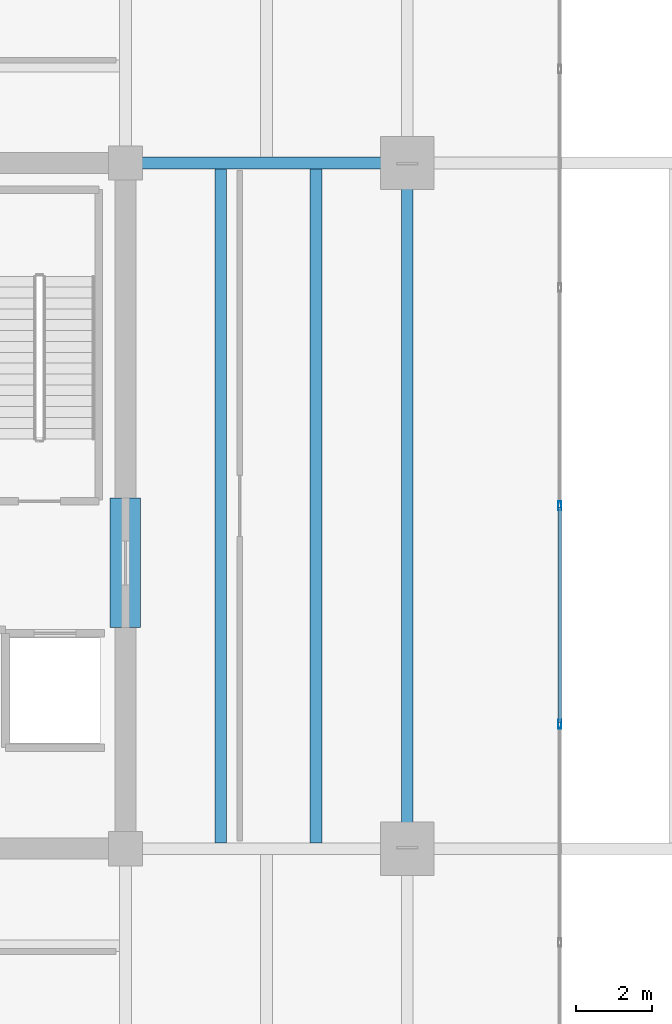
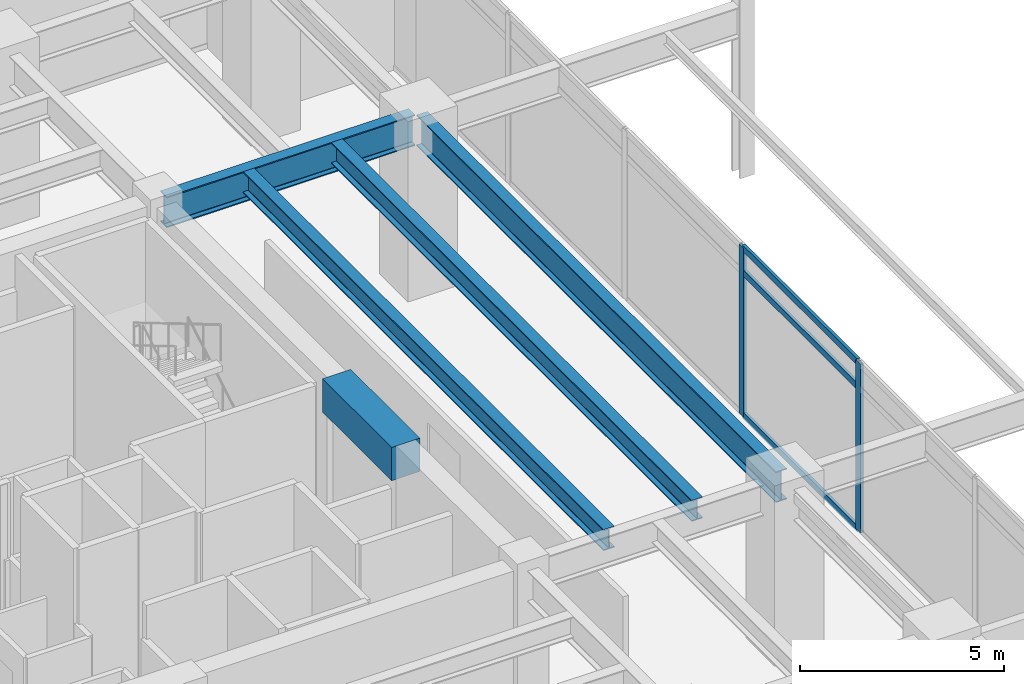
# One storey, part 11 of 24: 5 beams, 5 members, 1 element without a shape of its own.
"""IFC4 building model written with IfcOpenShell, lengths in metres."""

from ifc_helpers import new_model, si_unit, direction, frame, origin, origin_2d, place, context, subcontext, project, spatial, rectangle, hollow_rectangle, i_section, extrude, material, material_profile, profile_set, type_object, element, aggregate, save


model = new_model("IFC4")

# Units and contexts
model_context = context("Model", 3, precision=1e-05, world=origin(), true_north=direction((0.0, 1.0)))
body_context = subcontext(model_context, "Body", "Model", "MODEL_VIEW")
ifc_project = project(units=[si_unit("LENGTHUNIT", "METRE"), si_unit("AREAUNIT", "SQUARE_METRE"), si_unit("VOLUMEUNIT", "CUBIC_METRE"), si_unit("PLANEANGLEUNIT", "RADIAN"), si_unit("MASSUNIT", "GRAM", prefix="KILO")], contexts=[model_context])

# Site, building, storey
site_placement = place(None, origin())
site = spatial("IfcSite", under=ifc_project, at=site_placement, CompositionType="ELEMENT")
building_placement = place(site_placement, origin())
building = spatial("IfcBuilding", under=site, at=building_placement, Name="Kovane Verandah Tower", CompositionType="ELEMENT")
storey_placement = place(building_placement, frame((0.0, 0.0, 194.800048828125)))
storey = spatial("IfcBuildingStorey", under=building, at=storey_placement, Name="L45", CompositionType="ELEMENT", Elevation=194.800048828125)

# Beams
ifc_material_1 = material(Name="Concrete C60/75", Category="concrete")
ifc_material_profile_1 = material_profile(ifc_material_1, rectangle(XDim=0.800048828125, YDim=1.0, at=origin_2d()), Name="RCB800x1000")
ifc_profile_set_1 = profile_set([ifc_material_profile_1], Name="Concrete C60/75")
beam_type_1 = type_object("IfcBeamType", Name="BM-LINTEL-800x1000", PredefinedType="LINTEL", material=ifc_profile_set_1)
beam_1_placement = place(storey_placement, frame((51.0, 24.300048828125, 4.599853515625), z_axis=(0.0, 1.0, 0.0), x_axis=(-1.0, 0.0, 0.0)))
element("IfcBeam", 1, at=beam_1_placement, inside=storey, type_object=beam_type_1, Name="L45 Core Coupling Lintel CL-E", PredefinedType="LINTEL", context=body_context, shape_type="SweptSolid", body=[
    extrude(rectangle(XDim=0.800048828125, YDim=1.0, at=origin_2d()), origin(), (0.0, 0.0, 1.0), 3.39990234375),
])
ifc_material_2 = material(Name="Steel S460", Category="steel")
ifc_material_profile_2 = material_profile(ifc_material_2, i_section(OverallWidth=0.311279296875, OverallDepth=0.6357421875, WebThickness=0.018310546875, FlangeThickness=0.031494140625, FilletRadius=0.0166015625, at=origin_2d()), Name="UB610x305x238")
ifc_profile_set_2 = profile_set([ifc_material_profile_2], Name="Steel S460")
beam_type_2 = type_object("IfcBeamType", Name="BM-UB610x238", PredefinedType="BEAM", material=ifc_profile_set_2)
for number, where, z_axis, x_axis, name in (
    (2, (53.5, 18.65185546875, 4.781982421875), (0.0, 1.0, 0.0), (-1.0, 0.0, 0.0), "L45 Secondary Composite Joist J-E1"),
    (3, (56.0, 18.65185546875, 4.781982421875), (0.0, 1.0, 0.0), (-1.0, 0.0, 0.0), "L45 Secondary Composite Joist J-E2"),
):
    element("IfcBeam", number, at=place(storey_placement, frame(where, z_axis=z_axis, x_axis=x_axis)), inside=storey, type_object=beam_type_2, Name=name, PredefinedType="BEAM", context=body_context, shape_type="SweptSolid", body=[
        extrude(i_section(OverallWidth=0.311279296875, OverallDepth=0.6357421875, WebThickness=0.018310546875, FlangeThickness=0.031494140625, FilletRadius=0.0166015625, at=origin_2d()), origin(), (0.0, 0.0, 1.0), 17.6962890625),
    ])
ifc_material_profile_3 = material_profile(ifc_material_2, i_section(OverallWidth=0.3076171875, OverallDepth=0.926513671875, WebThickness=0.01953125, FlangeThickness=0.031982421875, FilletRadius=0.01904296875, at=origin_2d()), Name="UB914x305x289")
ifc_profile_set_3 = profile_set([ifc_material_profile_3], Name="Steel S460")
beam_type_3 = type_object("IfcBeamType", Name="BM-UB914x289", PredefinedType="BEAM", material=ifc_profile_set_3)
beam_2_placement = place(storey_placement, frame((58.39990234375, 18.679931640625, 4.63671875), z_axis=(0.0, 1.0, 0.0), x_axis=(-1.0, 0.0, 0.0)))
element("IfcBeam", 4, at=beam_2_placement, inside=storey, type_object=beam_type_3, Name="L45 Primary Tower Girder G-RE2", PredefinedType="BEAM", context=body_context, shape_type="SweptSolid", body=[
    extrude(i_section(OverallWidth=0.3076171875, OverallDepth=0.926513671875, WebThickness=0.01953125, FlangeThickness=0.031982421875, FilletRadius=0.01904296875, at=origin_2d()), origin(), (0.0, 0.0, 1.0), 17.64013671875),
])
beam_3_placement = place(storey_placement, frame((51.179931640625, 36.5, 4.63671875), z_axis=(1.0, 0.0, 0.0), x_axis=(0.0, 1.0, 0.0)))
element("IfcBeam", 5, at=beam_3_placement, inside=storey, type_object=beam_type_3, Name="L45 Primary Tower Girder G-E2", PredefinedType="BEAM", context=body_context, shape_type="SweptSolid", body=[
    extrude(i_section(OverallWidth=0.3076171875, OverallDepth=0.926513671875, WebThickness=0.01953125, FlangeThickness=0.031982421875, FilletRadius=0.01904296875, at=origin_2d()), origin(), (0.0, 0.0, 1.0), 7.0400390625),
])

# Curtain wall, members
ifc_material_3 = material(Name="Champagne Anodised Aluminium Frame with Low-E Clear Laminated Glass", Category="aluminium")
curtain_wall_type = type_object("IfcCurtainWallType", Name="CW-SYS-04-WAIST", PredefinedType="NOTDEFINED", material=ifc_material_3)
curtain_wall_placement = place(storey_placement, origin())
curtain_wall = element("IfcCurtainWall", 6, at=curtain_wall_placement, inside=storey, type_object=curtain_wall_type, Name="L45 E Unitised Curtain Wall", PredefinedType="NOTDEFINED")
ifc_material_4 = material(Name="Champagne Anodised Aluminium 6063-T6", Category="aluminium")
ifc_material_profile_4 = material_profile(ifc_material_4, hollow_rectangle(XDim=0.0849609375, YDim=0.22998046875, WallThickness=0.00390625, at=origin_2d()), Name="AL85x230x4")
ifc_profile_set_4 = profile_set([ifc_material_profile_4], Name="Champagne Anodised Aluminium 6063-T6")
member_type_1 = type_object("IfcMemberType", Name="CW-MUL-85x230", PredefinedType="MULLION", material=ifc_profile_set_4)
member_1_placement = place(storey_placement, frame((62.39990234375, 21.7666015625, 0.02001953125), z_axis=(0.0, 0.0, 1.0), x_axis=(1.0, 0.0, 0.0)))
member_1 = element("IfcMember", 7, at=member_1_placement, type_object=member_type_1, Name="L45 E Unitised Curtain Wall Mullion 3", PredefinedType="MULLION", context=body_context, shape_type="SweptSolid", body=[
    extrude(hollow_rectangle(XDim=0.0849609375, YDim=0.22998046875, WallThickness=0.00390625, at=origin_2d()), origin(), (0.0, 0.0, 1.0), 5.059814453125),
])
member_2_placement = place(storey_placement, frame((62.39990234375, 27.5, 0.02001953125), z_axis=(0.0, 0.0, 1.0), x_axis=(1.0, 0.0, 0.0)))
member_2 = element("IfcMember", 8, at=member_2_placement, type_object=member_type_1, Name="L45 E Unitised Curtain Wall Mullion 4", PredefinedType="MULLION", context=body_context, shape_type="SweptSolid", body=[
    extrude(hollow_rectangle(XDim=0.0849609375, YDim=0.22998046875, WallThickness=0.00390625, at=origin_2d()), origin(), (0.0, 0.0, 1.0), 5.059814453125),
])
ifc_material_profile_5 = material_profile(ifc_material_4, hollow_rectangle(XDim=0.0849609375, YDim=0.18994140625, WallThickness=0.00390625, at=origin_2d()), Name="AL85x190x4")
ifc_profile_set_5 = profile_set([ifc_material_profile_5], Name="Champagne Anodised Aluminium 6063-T6")
member_type_2 = type_object("IfcMemberType", Name="CW-TRN-85x190", PredefinedType="USERDEFINED", material=ifc_profile_set_5)
member_3_placement = place(storey_placement, frame((62.39990234375, 21.816650390625, 0.050048828125), z_axis=(0.0, 1.0, 0.0), x_axis=(-1.0, 0.0, 0.0)))
member_3 = element("IfcMember", 9, at=member_3_placement, type_object=member_type_2, Name="L45 E Unitised Curtain Wall Transom TB Bay 3", ObjectType="TRANSOM", PredefinedType="USERDEFINED", context=body_context, shape_type="SweptSolid", body=[
    extrude(hollow_rectangle(XDim=0.0849609375, YDim=0.18994140625, WallThickness=0.00390625, at=origin_2d()), origin(), (0.0, 0.0, 1.0), 5.63330078125),
])
member_4_placement = place(storey_placement, frame((62.39990234375, 21.816650390625, 4.320068359375), z_axis=(0.0, 1.0, 0.0), x_axis=(-1.0, 0.0, 0.0)))
member_4 = element("IfcMember", 10, at=member_4_placement, type_object=member_type_2, Name="L45 E Unitised Curtain Wall Transom TM Bay 3", ObjectType="TRANSOM", PredefinedType="USERDEFINED", context=body_context, shape_type="SweptSolid", body=[
    extrude(hollow_rectangle(XDim=0.0849609375, YDim=0.18994140625, WallThickness=0.00390625, at=origin_2d()), origin(), (0.0, 0.0, 1.0), 5.63330078125),
])
member_5_placement = place(storey_placement, frame((62.39990234375, 21.816650390625, 5.050048828125), z_axis=(0.0, 1.0, 0.0), x_axis=(-1.0, 0.0, 0.0)))
member_5 = element("IfcMember", 11, at=member_5_placement, type_object=member_type_2, Name="L45 E Unitised Curtain Wall Transom TT Bay 3", ObjectType="TRANSOM", PredefinedType="USERDEFINED", context=body_context, shape_type="SweptSolid", body=[
    extrude(hollow_rectangle(XDim=0.0849609375, YDim=0.18994140625, WallThickness=0.00390625, at=origin_2d()), origin(), (0.0, 0.0, 1.0), 5.63330078125),
])
aggregate(curtain_wall, [member_1, member_2, member_3, member_4, member_5])

save(model, "model.ifc")
